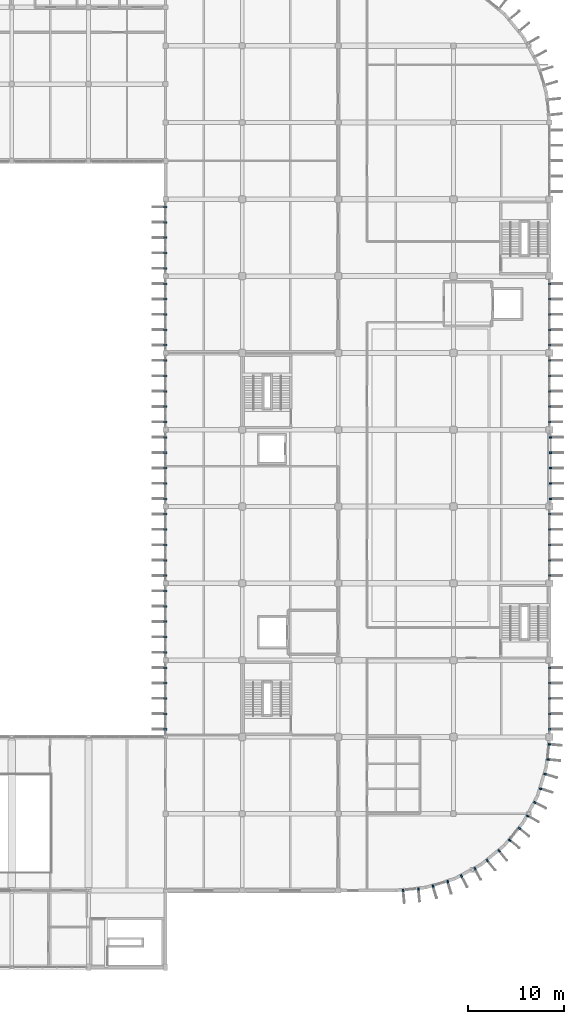
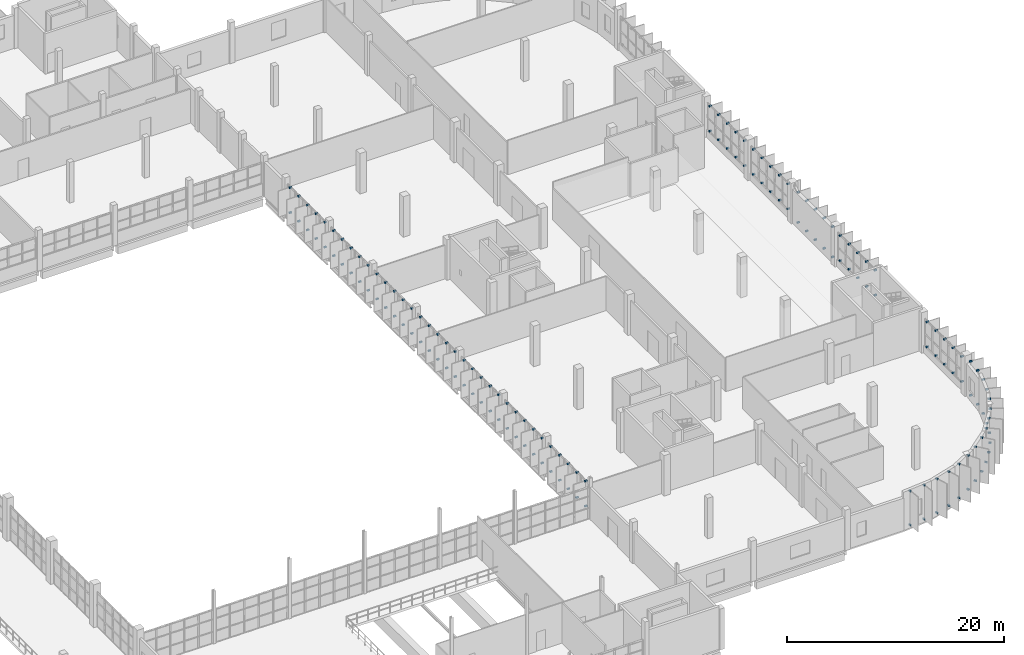
# One storey, part 84 of 93: 152 discrete accessories.
"""IFC4 building model written with IfcOpenShell, lengths in metres."""

from ifc_helpers import new_model, si_unit, direction, frame, origin, origin_2d, place, context, subcontext, project, spatial, rectangle, extrude, material, type_object, element, save


model = new_model("IFC4")

# Units and contexts
model_context = context("Model", 3, precision=1e-05, world=origin(), true_north=direction((0.0, 1.0)))
body_context = subcontext(model_context, "Body", "Model", "MODEL_VIEW")
ifc_project = project(units=[si_unit("LENGTHUNIT", "METRE"), si_unit("AREAUNIT", "SQUARE_METRE"), si_unit("VOLUMEUNIT", "CUBIC_METRE"), si_unit("PLANEANGLEUNIT", "RADIAN"), si_unit("MASSUNIT", "GRAM", prefix="KILO")], contexts=[model_context])

# Site, building, storey
site_placement = place(None, origin())
site = spatial("IfcSite", under=ifc_project, at=site_placement, CompositionType="ELEMENT")
building_placement = place(site_placement, origin())
building = spatial("IfcBuilding", under=site, at=building_placement, Name="Drelvana Railside Aquatics Centre", CompositionType="ELEMENT")
storey_placement = place(building_placement, frame((0.0, 0.0, 5.39990234375)))
storey = spatial("IfcBuildingStorey", under=building, at=storey_placement, Name="L01", CompositionType="ELEMENT", Elevation=5.39990234375)

# Discrete accessories
ifc_material = material(Name="Stainless steel 316 facade bracket", Category="steel")
discrete_accessory_type = type_object("IfcDiscreteAccessoryType", Name="ACC-BRACKET-FIN", PredefinedType="BRACKET", material=ifc_material)
for number, where, z_axis, x_axis, name in (
    (1, (143.989990234375, 24.800048828125, 0.81494140625), (0.0, 0.0, 1.0), (-1.0, 0.0, 0.0), "Shading fin bracket BK-1105"),
    (2, (143.989990234375, 24.800048828125, 3.625), (0.0, 0.0, 1.0), (-1.0, 0.0, 0.0), "Shading fin bracket BK-1106"),
    (3, (143.989990234375, 26.39990234375, 0.81494140625), (0.0, 0.0, 1.0), (-1.0, 0.0, 0.0), "Shading fin bracket BK-1107"),
    (4, (143.989990234375, 26.39990234375, 3.625), (0.0, 0.0, 1.0), (-1.0, 0.0, 0.0), "Shading fin bracket BK-1108"),
    (5, (143.989990234375, 28.0, 0.81494140625), (0.0, 0.0, 1.0), (-1.0, 0.0, 0.0), "Shading fin bracket BK-1109"),
    (6, (143.989990234375, 28.0, 3.625), (0.0, 0.0, 1.0), (-1.0, 0.0, 0.0), "Shading fin bracket BK-1110"),
    (7, (143.989990234375, 29.60009765625, 0.81494140625), (0.0, 0.0, 1.0), (-1.0, 0.0, 0.0), "Shading fin bracket BK-1111"),
    (8, (143.989990234375, 29.60009765625, 3.625), (0.0, 0.0, 1.0), (-1.0, 0.0, 0.0), "Shading fin bracket BK-1112"),
    (9, (143.989990234375, 31.199951171875, 0.81494140625), (0.0, 0.0, 1.0), (-1.0, 0.0, 0.0), "Shading fin bracket BK-1113"),
    (10, (143.989990234375, 31.199951171875, 3.625), (0.0, 0.0, 1.0), (-1.0, 0.0, 0.0), "Shading fin bracket BK-1114"),
    (11, (143.989990234375, 32.800048828125, 0.81494140625), (0.0, 0.0, 1.0), (-1.0, 0.0, 0.0), "Shading fin bracket BK-1145"),
    (12, (143.989990234375, 32.800048828125, 3.625), (0.0, 0.0, 1.0), (-1.0, 0.0, 0.0), "Shading fin bracket BK-1146"),
    (13, (143.989990234375, 34.39990234375, 0.81494140625), (0.0, 0.0, 1.0), (-1.0, 0.0, 0.0), "Shading fin bracket BK-1147"),
    (14, (143.989990234375, 34.39990234375, 3.625), (0.0, 0.0, 1.0), (-1.0, 0.0, 0.0), "Shading fin bracket BK-1148"),
    (15, (143.989990234375, 36.0, 0.81494140625), (0.0, 0.0, 1.0), (-1.0, 0.0, 0.0), "Shading fin bracket BK-1149"),
    (16, (143.989990234375, 36.0, 3.625), (0.0, 0.0, 1.0), (-1.0, 0.0, 0.0), "Shading fin bracket BK-1150"),
    (17, (143.989990234375, 37.60009765625, 0.81494140625), (0.0, 0.0, 1.0), (-1.0, 0.0, 0.0), "Shading fin bracket BK-1151"),
    (18, (143.989990234375, 37.60009765625, 3.625), (0.0, 0.0, 1.0), (-1.0, 0.0, 0.0), "Shading fin bracket BK-1152"),
    (19, (143.989990234375, 39.199951171875, 0.81494140625), (0.0, 0.0, 1.0), (-1.0, 0.0, 0.0), "Shading fin bracket BK-1153"),
    (20, (143.989990234375, 39.199951171875, 3.625), (0.0, 0.0, 1.0), (-1.0, 0.0, 0.0), "Shading fin bracket BK-1154"),
    (21, (143.989990234375, 40.800048828125, 0.81494140625), (0.0, 0.0, 1.0), (-1.0, 0.0, 0.0), "Shading fin bracket BK-1185"),
    (22, (143.989990234375, 40.800048828125, 3.625), (0.0, 0.0, 1.0), (-1.0, 0.0, 0.0), "Shading fin bracket BK-1186"),
    (23, (143.989990234375, 42.39990234375, 0.81494140625), (0.0, 0.0, 1.0), (-1.0, 0.0, 0.0), "Shading fin bracket BK-1187"),
    (24, (143.989990234375, 42.39990234375, 3.625), (0.0, 0.0, 1.0), (-1.0, 0.0, 0.0), "Shading fin bracket BK-1188"),
    (25, (143.989990234375, 44.0, 0.81494140625), (0.0, 0.0, 1.0), (-1.0, 0.0, 0.0), "Shading fin bracket BK-1189"),
    (26, (143.989990234375, 44.0, 3.625), (0.0, 0.0, 1.0), (-1.0, 0.0, 0.0), "Shading fin bracket BK-1190"),
    (27, (143.989990234375, 45.60009765625, 0.81494140625), (0.0, 0.0, 1.0), (-1.0, 0.0, 0.0), "Shading fin bracket BK-1191"),
    (28, (143.989990234375, 45.60009765625, 3.625), (0.0, 0.0, 1.0), (-1.0, 0.0, 0.0), "Shading fin bracket BK-1192"),
    (29, (143.989990234375, 47.199951171875, 0.81494140625), (0.0, 0.0, 1.0), (-1.0, 0.0, 0.0), "Shading fin bracket BK-1193"),
    (30, (143.989990234375, 47.199951171875, 3.625), (0.0, 0.0, 1.0), (-1.0, 0.0, 0.0), "Shading fin bracket BK-1194"),
    (31, (143.989990234375, 48.800048828125, 0.81494140625), (0.0, 0.0, 1.0), (-1.0, 0.0, 0.0), "Shading fin bracket BK-1225"),
    (32, (143.989990234375, 48.800048828125, 3.625), (0.0, 0.0, 1.0), (-1.0, 0.0, 0.0), "Shading fin bracket BK-1226"),
    (33, (143.989990234375, 50.39990234375, 0.81494140625), (0.0, 0.0, 1.0), (-1.0, 0.0, 0.0), "Shading fin bracket BK-1227"),
    (34, (143.989990234375, 50.39990234375, 3.625), (0.0, 0.0, 1.0), (-1.0, 0.0, 0.0), "Shading fin bracket BK-1228"),
    (35, (143.989990234375, 52.0, 0.81494140625), (0.0, 0.0, 1.0), (-1.0, 0.0, 0.0), "Shading fin bracket BK-1229"),
    (36, (143.989990234375, 52.0, 3.625), (0.0, 0.0, 1.0), (-1.0, 0.0, 0.0), "Shading fin bracket BK-1230"),
    (37, (143.989990234375, 53.60009765625, 0.81494140625), (0.0, 0.0, 1.0), (-1.0, 0.0, 0.0), "Shading fin bracket BK-1231"),
    (38, (143.989990234375, 53.60009765625, 3.625), (0.0, 0.0, 1.0), (-1.0, 0.0, 0.0), "Shading fin bracket BK-1232"),
    (39, (143.989990234375, 55.199951171875, 0.81494140625), (0.0, 0.0, 1.0), (-1.0, 0.0, 0.0), "Shading fin bracket BK-1233"),
    (40, (143.989990234375, 55.199951171875, 3.625), (0.0, 0.0, 1.0), (-1.0, 0.0, 0.0), "Shading fin bracket BK-1234"),
    (41, (143.989990234375, 56.800048828125, 0.81494140625), (0.0, 0.0, 1.0), (-1.0, 0.0, 0.0), "Shading fin bracket BK-1255"),
    (42, (143.989990234375, 56.800048828125, 3.625), (0.0, 0.0, 1.0), (-1.0, 0.0, 0.0), "Shading fin bracket BK-1256"),
    (43, (143.989990234375, 58.39990234375, 0.81494140625), (0.0, 0.0, 1.0), (-1.0, 0.0, 0.0), "Shading fin bracket BK-1257"),
    (44, (143.989990234375, 58.39990234375, 3.625), (0.0, 0.0, 1.0), (-1.0, 0.0, 0.0), "Shading fin bracket BK-1258"),
    (45, (143.989990234375, 60.0, 0.81494140625), (0.0, 0.0, 1.0), (-1.0, 0.0, 0.0), "Shading fin bracket BK-1259"),
    (46, (143.989990234375, 60.0, 3.625), (0.0, 0.0, 1.0), (-1.0, 0.0, 0.0), "Shading fin bracket BK-1260"),
    (47, (143.989990234375, 61.60009765625, 0.81494140625), (0.0, 0.0, 1.0), (-1.0, 0.0, 0.0), "Shading fin bracket BK-1261"),
    (48, (143.989990234375, 61.60009765625, 3.625), (0.0, 0.0, 1.0), (-1.0, 0.0, 0.0), "Shading fin bracket BK-1262"),
    (49, (143.989990234375, 63.199951171875, 0.81494140625), (0.0, 0.0, 1.0), (-1.0, 0.0, 0.0), "Shading fin bracket BK-1263"),
    (50, (143.989990234375, 63.199951171875, 3.625), (0.0, 0.0, 1.0), (-1.0, 0.0, 0.0), "Shading fin bracket BK-1264"),
    (51, (143.989990234375, 64.800048828125, 0.81494140625), (0.0, 0.0, 1.0), (-1.0, 0.0, 0.0), "Shading fin bracket BK-1295"),
    (52, (143.989990234375, 64.800048828125, 3.625), (0.0, 0.0, 1.0), (-1.0, 0.0, 0.0), "Shading fin bracket BK-1296"),
    (53, (143.989990234375, 66.39990234375, 0.81494140625), (0.0, 0.0, 1.0), (-1.0, 0.0, 0.0), "Shading fin bracket BK-1297"),
    (54, (143.989990234375, 66.39990234375, 3.625), (0.0, 0.0, 1.0), (-1.0, 0.0, 0.0), "Shading fin bracket BK-1298"),
    (55, (143.989990234375, 68.0, 0.81494140625), (0.0, 0.0, 1.0), (-1.0, 0.0, 0.0), "Shading fin bracket BK-1299"),
    (56, (143.989990234375, 68.0, 3.625), (0.0, 0.0, 1.0), (-1.0, 0.0, 0.0), "Shading fin bracket BK-1300"),
    (57, (143.989990234375, 69.60009765625, 0.81494140625), (0.0, 0.0, 1.0), (-1.0, 0.0, 0.0), "Shading fin bracket BK-1301"),
    (58, (143.989990234375, 69.60009765625, 3.625), (0.0, 0.0, 1.0), (-1.0, 0.0, 0.0), "Shading fin bracket BK-1302"),
    (59, (143.989990234375, 71.199951171875, 0.81494140625), (0.0, 0.0, 1.0), (-1.0, 0.0, 0.0), "Shading fin bracket BK-1303"),
    (60, (143.989990234375, 71.199951171875, 3.625), (0.0, 0.0, 1.0), (-1.0, 0.0, 0.0), "Shading fin bracket BK-1304"),
    (61, (143.989990234375, 72.800048828125, 0.81494140625), (0.0, 0.0, 1.0), (-1.0, 0.0, 0.0), "Shading fin bracket BK-1335"),
    (62, (143.989990234375, 72.800048828125, 3.625), (0.0, 0.0, 1.0), (-1.0, 0.0, 0.0), "Shading fin bracket BK-1336"),
    (63, (143.989990234375, 74.39990234375, 0.81494140625), (0.0, 0.0, 1.0), (-1.0, 0.0, 0.0), "Shading fin bracket BK-1337"),
    (64, (143.989990234375, 74.39990234375, 3.625), (0.0, 0.0, 1.0), (-1.0, 0.0, 0.0), "Shading fin bracket BK-1338"),
    (65, (143.989990234375, 76.0, 0.81494140625), (0.0, 0.0, 1.0), (-1.0, 0.0, 0.0), "Shading fin bracket BK-1339"),
    (66, (143.989990234375, 76.0, 3.625), (0.0, 0.0, 1.0), (-1.0, 0.0, 0.0), "Shading fin bracket BK-1340"),
    (67, (143.989990234375, 77.60009765625, 0.81494140625), (0.0, 0.0, 1.0), (-1.0, 0.0, 0.0), "Shading fin bracket BK-1341"),
    (68, (143.989990234375, 77.60009765625, 3.625), (0.0, 0.0, 1.0), (-1.0, 0.0, 0.0), "Shading fin bracket BK-1342"),
    (69, (143.989990234375, 79.199951171875, 0.81494140625), (0.0, 0.0, 1.0), (-1.0, 0.0, 0.0), "Shading fin bracket BK-1343"),
    (70, (143.989990234375, 79.199951171875, 3.625), (0.0, 0.0, 1.0), (-1.0, 0.0, 0.0), "Shading fin bracket BK-1344"),
    (71, (184.010009765625, 24.800048828125, 0.81494140625), (0.0, 0.0, 1.0), (1.0, 0.0, 0.0), "Shading fin bracket BK-1375"),
    (72, (184.010009765625, 24.800048828125, 3.625), (0.0, 0.0, 1.0), (1.0, 0.0, 0.0), "Shading fin bracket BK-1376"),
    (73, (184.010009765625, 26.39990234375, 0.81494140625), (0.0, 0.0, 1.0), (1.0, 0.0, 0.0), "Shading fin bracket BK-1377"),
    (74, (184.010009765625, 26.39990234375, 3.625), (0.0, 0.0, 1.0), (1.0, 0.0, 0.0), "Shading fin bracket BK-1378"),
    (75, (184.010009765625, 28.0, 0.81494140625), (0.0, 0.0, 1.0), (1.0, 0.0, 0.0), "Shading fin bracket BK-1379"),
    (76, (184.010009765625, 28.0, 3.625), (0.0, 0.0, 1.0), (1.0, 0.0, 0.0), "Shading fin bracket BK-1380"),
    (77, (184.010009765625, 29.60009765625, 0.81494140625), (0.0, 0.0, 1.0), (1.0, 0.0, 0.0), "Shading fin bracket BK-1381"),
    (78, (184.010009765625, 29.60009765625, 3.625), (0.0, 0.0, 1.0), (1.0, 0.0, 0.0), "Shading fin bracket BK-1382"),
    (79, (184.010009765625, 31.199951171875, 0.81494140625), (0.0, 0.0, 1.0), (1.0, 0.0, 0.0), "Shading fin bracket BK-1383"),
    (80, (184.010009765625, 31.199951171875, 3.625), (0.0, 0.0, 1.0), (1.0, 0.0, 0.0), "Shading fin bracket BK-1384"),
    (81, (184.010009765625, 40.800048828125, 0.81494140625), (0.0, 0.0, 1.0), (1.0, 0.0, 0.0), "Shading fin bracket BK-1425"),
    (82, (184.010009765625, 40.800048828125, 3.625), (0.0, 0.0, 1.0), (1.0, 0.0, 0.0), "Shading fin bracket BK-1426"),
    (83, (184.010009765625, 42.39990234375, 0.81494140625), (0.0, 0.0, 1.0), (1.0, 0.0, 0.0), "Shading fin bracket BK-1427"),
    (84, (184.010009765625, 42.39990234375, 3.625), (0.0, 0.0, 1.0), (1.0, 0.0, 0.0), "Shading fin bracket BK-1428"),
    (85, (184.010009765625, 44.0, 0.81494140625), (0.0, 0.0, 1.0), (1.0, 0.0, 0.0), "Shading fin bracket BK-1429"),
    (86, (184.010009765625, 44.0, 3.625), (0.0, 0.0, 1.0), (1.0, 0.0, 0.0), "Shading fin bracket BK-1430"),
    (87, (184.010009765625, 45.60009765625, 0.81494140625), (0.0, 0.0, 1.0), (1.0, 0.0, 0.0), "Shading fin bracket BK-1431"),
    (88, (184.010009765625, 45.60009765625, 3.625), (0.0, 0.0, 1.0), (1.0, 0.0, 0.0), "Shading fin bracket BK-1432"),
    (89, (184.010009765625, 47.199951171875, 0.81494140625), (0.0, 0.0, 1.0), (1.0, 0.0, 0.0), "Shading fin bracket BK-1433"),
    (90, (184.010009765625, 47.199951171875, 3.625), (0.0, 0.0, 1.0), (1.0, 0.0, 0.0), "Shading fin bracket BK-1434"),
    (91, (184.114990234375, 48.800048828125, 0.21533203125), (0.0, 0.0, 1.0), (1.0, 0.0, 0.0), "Shading fin bracket BK-1475"),
    (92, (184.114990234375, 48.800048828125, 3.625), (0.0, 0.0, 1.0), (1.0, 0.0, 0.0), "Shading fin bracket BK-1476"),
    (93, (184.114990234375, 50.39990234375, 0.21533203125), (0.0, 0.0, 1.0), (1.0, 0.0, 0.0), "Shading fin bracket BK-1477"),
    (94, (184.114990234375, 50.39990234375, 3.625), (0.0, 0.0, 1.0), (1.0, 0.0, 0.0), "Shading fin bracket BK-1478"),
    (95, (184.114990234375, 52.0, 0.21533203125), (0.0, 0.0, 1.0), (1.0, 0.0, 0.0), "Shading fin bracket BK-1479"),
    (96, (184.114990234375, 52.0, 3.625), (0.0, 0.0, 1.0), (1.0, 0.0, 0.0), "Shading fin bracket BK-1480"),
    (97, (184.114990234375, 53.60009765625, 0.21533203125), (0.0, 0.0, 1.0), (1.0, 0.0, 0.0), "Shading fin bracket BK-1481"),
    (98, (184.114990234375, 53.60009765625, 3.625), (0.0, 0.0, 1.0), (1.0, 0.0, 0.0), "Shading fin bracket BK-1482"),
    (99, (184.114990234375, 55.199951171875, 0.21533203125), (0.0, 0.0, 1.0), (1.0, 0.0, 0.0), "Shading fin bracket BK-1483"),
    (100, (184.114990234375, 55.199951171875, 3.625), (0.0, 0.0, 1.0), (1.0, 0.0, 0.0), "Shading fin bracket BK-1484"),
    (101, (184.010009765625, 56.800048828125, 0.81494140625), (0.0, 0.0, 1.0), (1.0, 0.0, 0.0), "Shading fin bracket BK-1525"),
    (102, (184.010009765625, 56.800048828125, 3.625), (0.0, 0.0, 1.0), (1.0, 0.0, 0.0), "Shading fin bracket BK-1526"),
    (103, (184.010009765625, 58.39990234375, 0.81494140625), (0.0, 0.0, 1.0), (1.0, 0.0, 0.0), "Shading fin bracket BK-1527"),
    (104, (184.010009765625, 58.39990234375, 3.625), (0.0, 0.0, 1.0), (1.0, 0.0, 0.0), "Shading fin bracket BK-1528"),
    (105, (184.010009765625, 60.0, 0.81494140625), (0.0, 0.0, 1.0), (1.0, 0.0, 0.0), "Shading fin bracket BK-1529"),
    (106, (184.010009765625, 60.0, 3.625), (0.0, 0.0, 1.0), (1.0, 0.0, 0.0), "Shading fin bracket BK-1530"),
    (107, (184.010009765625, 61.60009765625, 0.81494140625), (0.0, 0.0, 1.0), (1.0, 0.0, 0.0), "Shading fin bracket BK-1531"),
    (108, (184.010009765625, 61.60009765625, 3.625), (0.0, 0.0, 1.0), (1.0, 0.0, 0.0), "Shading fin bracket BK-1532"),
    (109, (184.010009765625, 63.199951171875, 0.81494140625), (0.0, 0.0, 1.0), (1.0, 0.0, 0.0), "Shading fin bracket BK-1533"),
    (110, (184.010009765625, 63.199951171875, 3.625), (0.0, 0.0, 1.0), (1.0, 0.0, 0.0), "Shading fin bracket BK-1534"),
    (111, (184.010009765625, 64.800048828125, 0.81494140625), (0.0, 0.0, 1.0), (1.0, 0.0, 0.0), "Shading fin bracket BK-1575"),
    (112, (184.010009765625, 64.800048828125, 3.625), (0.0, 0.0, 1.0), (1.0, 0.0, 0.0), "Shading fin bracket BK-1576"),
    (113, (184.010009765625, 66.39990234375, 0.81494140625), (0.0, 0.0, 1.0), (1.0, 0.0, 0.0), "Shading fin bracket BK-1577"),
    (114, (184.010009765625, 66.39990234375, 3.625), (0.0, 0.0, 1.0), (1.0, 0.0, 0.0), "Shading fin bracket BK-1578"),
    (115, (184.010009765625, 68.0, 0.81494140625), (0.0, 0.0, 1.0), (1.0, 0.0, 0.0), "Shading fin bracket BK-1579"),
    (116, (184.010009765625, 68.0, 3.625), (0.0, 0.0, 1.0), (1.0, 0.0, 0.0), "Shading fin bracket BK-1580"),
    (117, (184.010009765625, 69.60009765625, 0.81494140625), (0.0, 0.0, 1.0), (1.0, 0.0, 0.0), "Shading fin bracket BK-1581"),
    (118, (184.010009765625, 69.60009765625, 3.625), (0.0, 0.0, 1.0), (1.0, 0.0, 0.0), "Shading fin bracket BK-1582"),
    (119, (184.010009765625, 71.199951171875, 0.81494140625), (0.0, 0.0, 1.0), (1.0, 0.0, 0.0), "Shading fin bracket BK-1583"),
    (120, (184.010009765625, 71.199951171875, 3.625), (0.0, 0.0, 1.0), (1.0, 0.0, 0.0), "Shading fin bracket BK-1584"),
    (121, (168.77197265625, 8.000732421875, 0.21533203125), (0.0, 0.0, 1.0), (0.09801714033, -0.995184726672, 0.0), "Shading fin bracket BK-1659"),
    (122, (168.77197265625, 8.000732421875, 4.02490234375), (0.0, 0.0, 1.0), (0.09801714033, -0.995184726672, 0.0), "Shading fin bracket BK-1660"),
    (123, (170.3642578125, 8.157470703125, 0.21533203125), (0.0, 0.0, 1.0), (0.09801714033, -0.995184726672, 0.0), "Shading fin bracket BK-1661"),
    (124, (170.3642578125, 8.157470703125, 4.02490234375), (0.0, 0.0, 1.0), (0.09801714033, -0.995184726672, 0.0), "Shading fin bracket BK-1662"),
    (125, (171.87841796875, 8.458740234375, 0.21533203125), (0.0, 0.0, 1.0), (0.290284677254, -0.956940335732, 0.0), "Shading fin bracket BK-1671"),
    (126, (171.87841796875, 8.458740234375, 4.02490234375), (0.0, 0.0, 1.0), (0.290284677254, -0.956940335732, 0.0), "Shading fin bracket BK-1672"),
    (127, (173.409423828125, 8.923095703125, 0.21533203125), (0.0, 0.0, 1.0), (0.290284677254, -0.956940335732, 0.0), "Shading fin bracket BK-1673"),
    (128, (173.409423828125, 8.923095703125, 4.02490234375), (0.0, 0.0, 1.0), (0.290284677254, -0.956940335732, 0.0), "Shading fin bracket BK-1674"),
    (129, (174.835693359375, 9.513916015625, 0.21533203125), (0.0, 0.0, 1.0), (0.471396736826, -0.881921264348, 0.0), "Shading fin bracket BK-1683"),
    (130, (174.835693359375, 9.513916015625, 4.02490234375), (0.0, 0.0, 1.0), (0.471396736826, -0.881921264348, 0.0), "Shading fin bracket BK-1684"),
    (131, (176.246826171875, 10.268310546875, 0.21533203125), (0.0, 0.0, 1.0), (0.471396736826, -0.881921264348, 0.0), "Shading fin bracket BK-1685"),
    (132, (176.246826171875, 10.268310546875, 4.02490234375), (0.0, 0.0, 1.0), (0.471396736826, -0.881921264348, 0.0), "Shading fin bracket BK-1686"),
    (133, (177.530517578125, 11.1259765625, 0.21533203125), (0.0, 0.0, 1.0), (0.634393284164, -0.773010453363, 0.0), "Shading fin bracket BK-1695"),
    (134, (177.530517578125, 11.1259765625, 4.02490234375), (0.0, 0.0, 1.0), (0.634393284164, -0.773010453363, 0.0), "Shading fin bracket BK-1696"),
    (135, (178.767333984375, 12.140869140625, 0.21533203125), (0.0, 0.0, 1.0), (0.634393284164, -0.773010453363, 0.0), "Shading fin bracket BK-1697"),
    (136, (178.767333984375, 12.140869140625, 4.02490234375), (0.0, 0.0, 1.0), (0.634393284164, -0.773010453363, 0.0), "Shading fin bracket BK-1698"),
    (137, (179.859130859375, 13.232666015625, 0.21533203125), (0.0, 0.0, 1.0), (0.773010453363, -0.634393284164, 0.0), "Shading fin bracket BK-1707"),
    (138, (179.859130859375, 13.232666015625, 4.02490234375), (0.0, 0.0, 1.0), (0.773010453363, -0.634393284164, 0.0), "Shading fin bracket BK-1708"),
    (139, (180.8740234375, 14.469482421875, 0.21533203125), (0.0, 0.0, 1.0), (0.773010453363, -0.634393284164, 0.0), "Shading fin bracket BK-1709"),
    (140, (180.8740234375, 14.469482421875, 4.02490234375), (0.0, 0.0, 1.0), (0.773010453363, -0.634393284164, 0.0), "Shading fin bracket BK-1710"),
    (141, (181.731689453125, 15.753173828125, 0.21533203125), (0.0, 0.0, 1.0), (0.881921264348, -0.471396736826, 0.0), "Shading fin bracket BK-1719"),
    (142, (181.731689453125, 15.753173828125, 4.02490234375), (0.0, 0.0, 1.0), (0.881921264348, -0.471396736826, 0.0), "Shading fin bracket BK-1720"),
    (143, (182.486083984375, 17.164306640625, 0.21533203125), (0.0, 0.0, 1.0), (0.881921264348, -0.471396736826, 0.0), "Shading fin bracket BK-1721"),
    (144, (182.486083984375, 17.164306640625, 4.02490234375), (0.0, 0.0, 1.0), (0.881921264348, -0.471396736826, 0.0), "Shading fin bracket BK-1722"),
    (145, (183.076904296875, 18.590576171875, 0.21533203125), (0.0, 0.0, 1.0), (0.956940335732, -0.290284677254, 0.0), "Shading fin bracket BK-1731"),
    (146, (183.076904296875, 18.590576171875, 4.02490234375), (0.0, 0.0, 1.0), (0.956940335732, -0.290284677254, 0.0), "Shading fin bracket BK-1732"),
    (147, (183.541259765625, 20.12158203125, 0.21533203125), (0.0, 0.0, 1.0), (0.956940335732, -0.290284677254, 0.0), "Shading fin bracket BK-1733"),
    (148, (183.541259765625, 20.12158203125, 4.02490234375), (0.0, 0.0, 1.0), (0.956940335732, -0.290284677254, 0.0), "Shading fin bracket BK-1734"),
    (149, (183.842529296875, 21.6357421875, 0.21533203125), (0.0, 0.0, 1.0), (0.995184726672, -0.09801714033, 0.0), "Shading fin bracket BK-1743"),
    (150, (183.842529296875, 21.6357421875, 4.02490234375), (0.0, 0.0, 1.0), (0.995184726672, -0.09801714033, 0.0), "Shading fin bracket BK-1744"),
    (151, (183.999267578125, 23.22802734375, 0.21533203125), (0.0, 0.0, 1.0), (0.995184726672, -0.09801714033, 0.0), "Shading fin bracket BK-1745"),
    (152, (183.999267578125, 23.22802734375, 4.02490234375), (0.0, 0.0, 1.0), (0.995184726672, -0.09801714033, 0.0), "Shading fin bracket BK-1746"),
):
    element("IfcDiscreteAccessory", number, at=place(storey_placement, frame(where, z_axis=z_axis, x_axis=x_axis)), inside=storey, type_object=discrete_accessory_type, Name=name, PredefinedType="BRACKET", context=body_context, shape_type="SweptSolid", body=[
        extrude(rectangle(XDim=0.280029296875, YDim=0.159912109375, at=origin_2d()), origin(), (0.0, 0.0, 1.0), 0.159912109375),
    ])

save(model, "model.ifc")
